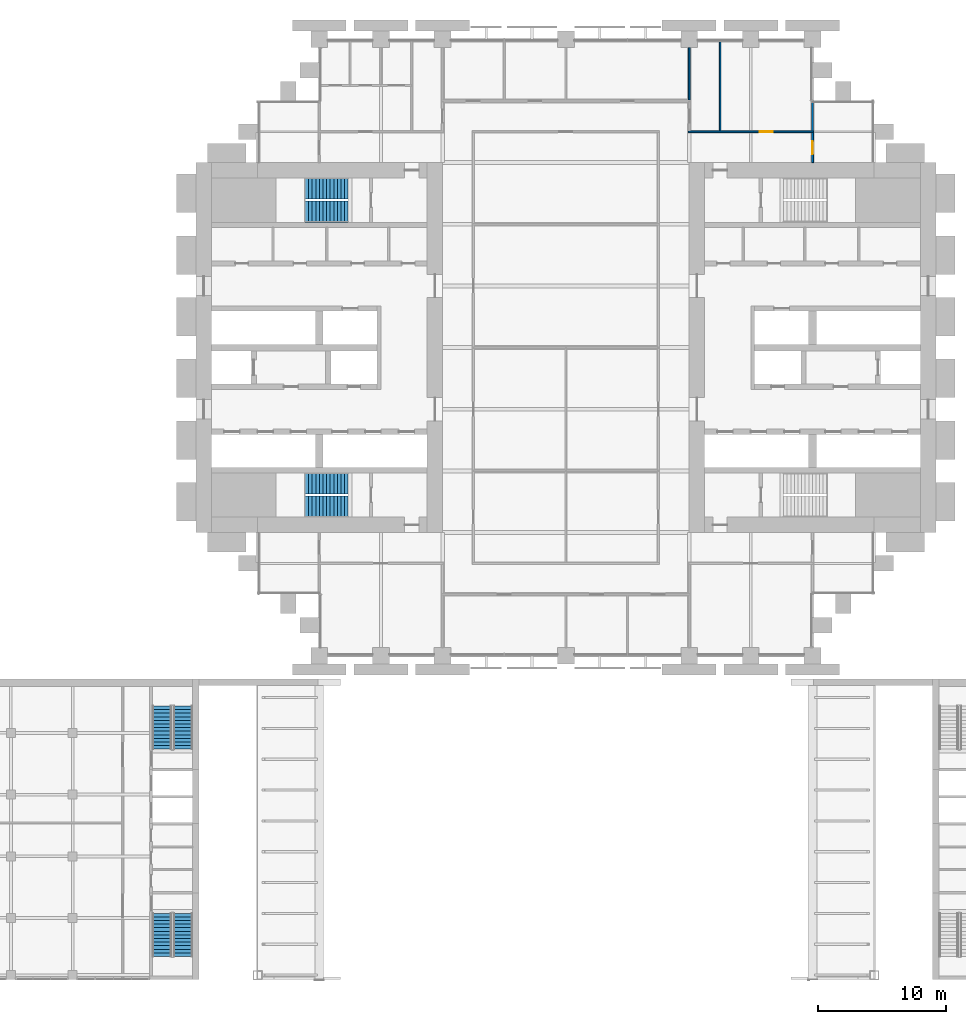
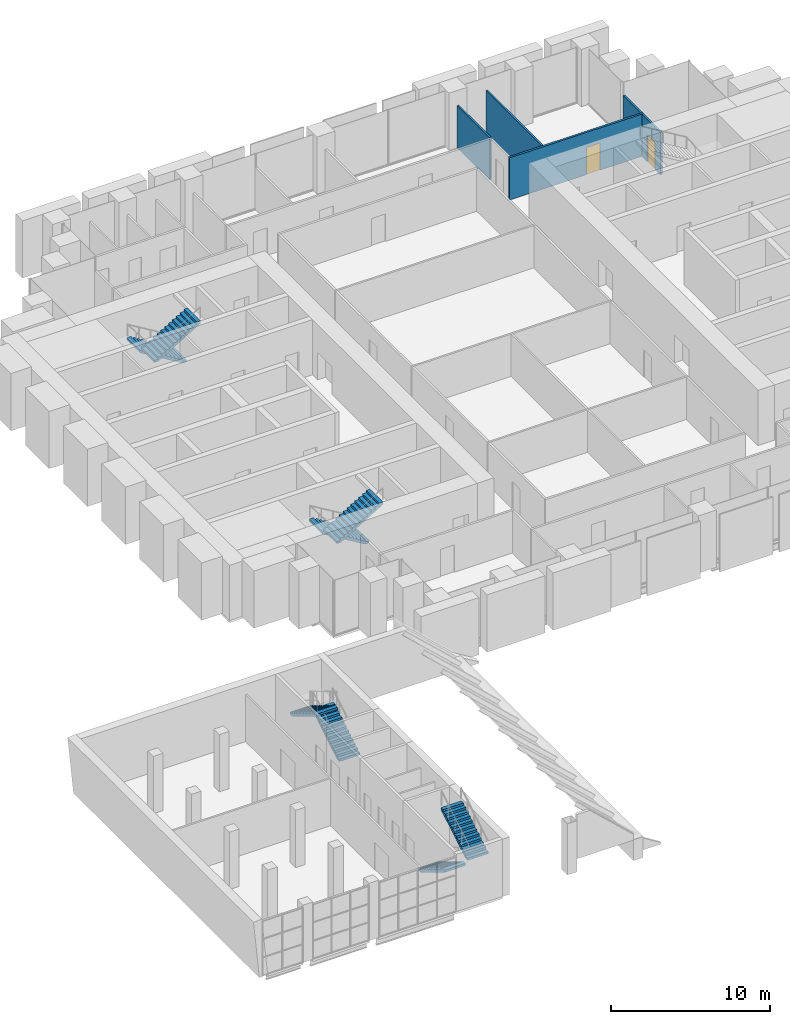
# One storey, part 25 of 30: 8 stair flights, 5 walls, 2 doors, 2 openings, 4 elements without a shape of their own.
"""IFC4 building model written with IfcOpenShell, lengths in metres."""

import ifcopenshell
import ifcopenshell.guid

model = None  # the IFC model being written
_history = None  # IfcOwnerHistory: only IFC2X3 demands one
_inside = {}  # id of a spatial element -> (the spatial element, [elements in it])
_under = {}  # id of a project, library or spatial element -> (it, [spatial elements below it])
_declared = {}  # id of a project -> (the project, [libraries it declares])
_typed = {}  # id of a type object -> (the type object, [elements of that type])
_made_of = {}  # id of a material, layer set ... -> (it, [elements and type objects made of it])


def new_model(schema):
    """Start an empty IFC model of exactly this schema.

    Asked for "IFC4X3", IfcOpenShell would pick the latest addendum, in which some entities
    have other attributes; the version numbers below select the first issue.
    IFC2X3 requires an IfcOwnerHistory on every rooted entity: one is made here for all.
    """
    global model, _history
    if schema == "IFC4X3":
        model = ifcopenshell.file(schema_version=(4, 3, 0, 0))
    else:
        model = ifcopenshell.file(schema=schema)
    _inside.clear()
    _under.clear()
    _declared.clear()
    _typed.clear()
    _made_of.clear()
    _history = None
    if model.schema == "IFC2X3":
        org = make("IfcOrganization", Name="unknown")
        user = make(
            "IfcPersonAndOrganization",
            ThePerson=make("IfcPerson", FamilyName="unknown"),
            TheOrganization=org,
        )
        app = make(
            "IfcApplication",
            ApplicationDeveloper=org,
            Version="unknown",
            ApplicationFullName="unknown",
            ApplicationIdentifier="unknown",
        )
        _history = make(
            "IfcOwnerHistory",
            OwningUser=user,
            OwningApplication=app,
            ChangeAction="ADDED",
            CreationDate=0,
        )
    return model


def make(cls, **values):
    """One entity of the class cls with the attributes given. An attribute that is None is left unset."""
    return model.create_entity(
        cls, **{name: value for name, value in values.items() if value is not None}
    )


def rooted(cls, **values):
    """An entity with a GlobalId (a new one), such as an element, a storey or a relation."""
    return make(cls, GlobalId=ifcopenshell.guid.new(), OwnerHistory=_history, **values)


def si_unit(unit_type, name, prefix=None):
    """IfcSIUnit, for example si_unit("LENGTHUNIT", "METRE", prefix="MILLI")."""
    return make("IfcSIUnit", UnitType=unit_type, Prefix=prefix, Name=name)


def assignment(units):
    """IfcUnitAssignment: the units of a project."""
    return None if units is None else make("IfcUnitAssignment", Units=units)


def point(xyz):
    """IfcCartesianPoint."""
    return None if xyz is None else make("IfcCartesianPoint", Coordinates=xyz)


def direction(xyz):
    """IfcDirection."""
    return None if xyz is None else make("IfcDirection", DirectionRatios=xyz)


def frame(location, z_axis=None, x_axis=None):
    """IfcAxis2Placement3D, a coordinate frame: its origin and axes. An axis left out is left unset."""
    return make(
        "IfcAxis2Placement3D",
        Location=point(location),
        Axis=direction(z_axis),
        RefDirection=direction(x_axis),
    )


def frame_2d(location, x_axis=None):
    """IfcAxis2Placement2D, a coordinate frame in the plane: its origin and x axis."""
    return make(
        "IfcAxis2Placement2D", Location=point(location), RefDirection=direction(x_axis)
    )


def origin():
    """The frame at (0, 0, 0) with its axes left unset."""
    return frame((0.0, 0.0, 0.0))


def place(relative_to, where):
    """IfcLocalPlacement: puts the frame where relative to a parent placement (None: the world)."""
    return make(
        "IfcLocalPlacement", PlacementRelTo=relative_to, RelativePlacement=where
    )


def context(
    kind, dimensions, precision=None, world=None, true_north=None, identifier=None
):
    """IfcGeometricRepresentationContext, for example the 3D "Model" context."""
    return make(
        "IfcGeometricRepresentationContext",
        ContextIdentifier=identifier,
        ContextType=kind,
        CoordinateSpaceDimension=dimensions,
        Precision=precision,
        WorldCoordinateSystem=world,
        TrueNorth=true_north,
    )


def subcontext(parent, identifier, kind, view, scale=None):
    """IfcGeometricRepresentationSubContext, for example "Body" below "Model"."""
    return make(
        "IfcGeometricRepresentationSubContext",
        ContextIdentifier=identifier,
        ContextType=kind,
        ParentContext=parent,
        TargetScale=scale,
        TargetView=view,
    )


def project(units=None, contexts=None):
    """IfcProject with its units and contexts."""
    return rooted(
        "IfcProject",
        Name="project",
        RepresentationContexts=contexts,
        UnitsInContext=assignment(units),
    )


def spatial(cls, under=None, at=None, **own):
    """A site, building, storey or space (cls), placed at a placement, below another one or the project."""
    s = rooted(cls, ObjectPlacement=at, **own)
    if under is not None:
        _under.setdefault(under.id(), (under, []))[1].append(s)
    return s


def polyline(points):
    """IfcPolyline through the points."""
    return make("IfcPolyline", Points=[point(p) for p in points])


def profile(cls, at=None, kind="AREA", **sizes):
    """A parametric profile (cls). Its sizes go by their IFC names, for example OverallWidth=200.0."""
    return make(cls, ProfileType=kind, Position=at, **sizes)


def rectangle(**sizes):
    """IfcRectangleProfileDef."""
    return profile("IfcRectangleProfileDef", **sizes)


def outline(outer, holes=None, kind="AREA"):
    """IfcArbitraryClosedProfileDef: a profile drawn as a closed curve; with holes, ...WithVoids."""
    if holes is None:
        return make("IfcArbitraryClosedProfileDef", ProfileType=kind, OuterCurve=outer)
    return make(
        "IfcArbitraryProfileDefWithVoids",
        ProfileType=kind,
        OuterCurve=outer,
        InnerCurves=holes,
    )


def extrude(swept, where, along, depth):
    """IfcExtrudedAreaSolid: the profile swept, set in the frame where, extruded along a direction by depth."""
    return make(
        "IfcExtrudedAreaSolid",
        SweptArea=swept,
        Position=where,
        ExtrudedDirection=direction(along),
        Depth=depth,
    )


def shape(context_of_items, identifier, shape_type, items):
    """IfcShapeRepresentation: the items that make up one representation, for example the "Body"."""
    return make(
        "IfcShapeRepresentation",
        ContextOfItems=context_of_items,
        RepresentationIdentifier=identifier,
        RepresentationType=shape_type,
        Items=items,
    )


def material(Name=None, Category=None):
    """IfcMaterial."""
    return make("IfcMaterial", Name=Name, Category=Category)


def layer(
    of_material, thickness, ventilated=None, Name=None, Category=None, Priority=None
):
    """IfcMaterialLayer: one layer of a wall or slab, of a material (None: an air gap)."""
    return make(
        "IfcMaterialLayer",
        Material=of_material,
        LayerThickness=thickness,
        IsVentilated=ventilated,
        Name=Name,
        Category=Category,
        Priority=Priority,
    )


def layer_set(layers, Name=None):
    """IfcMaterialLayerSet."""
    return make("IfcMaterialLayerSet", MaterialLayers=layers, LayerSetName=Name)


def made_of(thing, what):
    """Note that an element or type object is made of a material, layer set ...; save() writes the relation."""
    if what is not None:
        _made_of.setdefault(what.id(), (what, []))[1].append(thing)
    return thing


def type_object(cls, material=None, **own):
    """A type object (cls), such as IfcWallType, which elements share."""
    return made_of(rooted(cls, **own), material)


def element(
    cls,
    number,
    at=None,
    inside=None,
    cuts=None,
    type_object=None,
    material=None,
    context=None,
    identifier="Body",
    shape_type=None,
    held_by="IfcProductDefinitionShape",
    body=None,
    shapes=None,
    **own,
):
    """One element of the class cls, such as IfcWall. Its Tag is "e" and its number.

    at: its placement. inside: the storey or other place that contains it. cuts: it is an
    opening in that element (IfcRelVoidsElement). A single representation is given by context,
    identifier, shape_type and body (its items); several are given by shapes. held_by: the class
    of the entity that holds the representations. save() writes the other relations.
    """
    e = rooted(cls, Tag="e%d" % number, ObjectPlacement=at, **own)
    if body is not None:
        shapes = [shape(context, identifier, shape_type, body)]
    if shapes is not None:
        e.Representation = make(held_by, Representations=shapes)
    if inside is not None:
        _inside.setdefault(inside.id(), (inside, []))[1].append(e)
    if cuts is not None:
        rooted(
            "IfcRelVoidsElement", RelatingBuildingElement=cuts, RelatedOpeningElement=e
        )
    if type_object is not None:
        _typed.setdefault(type_object.id(), (type_object, []))[1].append(e)
    return made_of(e, material)


def fill(opening, filler):
    """IfcRelFillsElement: the door or window that sits in an opening."""
    return rooted(
        "IfcRelFillsElement",
        RelatingOpeningElement=opening,
        RelatedBuildingElement=filler,
    )


def aggregate(whole, parts):
    """IfcRelAggregates: a whole, such as a stair, and the parts it consists of."""
    return rooted("IfcRelAggregates", RelatingObject=whole, RelatedObjects=parts)


def save(model, path):
    """Write the relations noted so far, then the file.

    IfcRelAggregates (storeys below a building ...), IfcRelContainedInSpatialStructure (elements
    in a storey), IfcRelDefinesByType, IfcRelAssociatesMaterial and IfcRelDeclares: one each for
    every whole, place, type object, material and project.
    """
    for whole, parts in _under.values():
        aggregate(whole, parts)
    for where, things in _inside.values():
        rooted(
            "IfcRelContainedInSpatialStructure",
            RelatedElements=things,
            RelatingStructure=where,
        )
    for kind, things in _typed.values():
        rooted("IfcRelDefinesByType", RelatedObjects=things, RelatingType=kind)
    for what, things in _made_of.values():
        rooted("IfcRelAssociatesMaterial", RelatedObjects=things, RelatingMaterial=what)
    for by, libraries in _declared.values():
        rooted("IfcRelDeclares", RelatingContext=by, RelatedDefinitions=libraries)
    model.write(path)


model = new_model("IFC4")

# Units and contexts
model_context = context("Model", 3, precision=1e-05, world=origin(), true_north=direction((0.0, 1.0)))
body_context = subcontext(model_context, "Body", "Model", "MODEL_VIEW")
ifc_project = project(units=[si_unit("LENGTHUNIT", "METRE"), si_unit("AREAUNIT", "SQUARE_METRE"), si_unit("VOLUMEUNIT", "CUBIC_METRE"), si_unit("PLANEANGLEUNIT", "RADIAN"), si_unit("MASSUNIT", "GRAM", prefix="KILO")], contexts=[model_context])

# Site, building, storey
site_placement = place(None, origin())
site = spatial("IfcSite", under=ifc_project, at=site_placement, CompositionType="ELEMENT")
building_placement = place(site_placement, origin())
building = spatial("IfcBuilding", under=site, at=building_placement, Name="Baori Bourse Tower", CompositionType="ELEMENT")
storey_placement = place(building_placement, frame((0.0, 0.0, 17.0)))
storey = spatial("IfcBuildingStorey", under=building, at=storey_placement, Name="L02", CompositionType="ELEMENT", Elevation=17.0)

# Wall, opening, door
ifc_material_1 = material(Name="Gypsum board partition")
ifc_layer_1 = layer(ifc_material_1, 0.14990234375)
ifc_layer_set_1 = layer_set([ifc_layer_1], Name="Corridor partition 150")
wall_type_1 = type_object("IfcWallType", Name="Corridor partition 150", PredefinedType="PARTITIONING", material=ifc_layer_set_1)
wall_1_placement = place(storey_placement, frame((38.324951171875, 40.800048828125, 0.0), z_axis=(0.0, 0.0, 1.0), x_axis=(1.0, 0.0, 0.0)))
wall_1 = element("IfcWall", 1, at=wall_1_placement, inside=storey, type_object=wall_type_1, Name="Partition", PredefinedType="PARTITIONING", context=body_context, shape_type="SweptSolid", body=[
    extrude(rectangle(XDim=9.75, YDim=0.14990234375, at=frame_2d((4.875, 0.0))), origin(), (0.0, 0.0, 1.0), 3.24951171875),
])
opening_1_placement = place(wall_1_placement, frame((5.574951171875, 0.0, 0.0)))
opening_1 = element("IfcOpeningElement", 2, at=opening_1_placement, cuts=wall_1, Name="Opening L02-D08", PredefinedType="OPENING", context=body_context, shape_type="SweptSolid", body=[
    extrude(rectangle(XDim=1.0, YDim=2.10009765625, at=frame_2d((0.5, 1.050048828125))), frame((0.0, 0.0849609375, 0.0), z_axis=(0.0, -1.0, 0.0), x_axis=(1.0, 0.0, 0.0)), (0.0, 0.0, 1.0), 0.169921875),
])
ifc_material_2 = material(Name="Timber door leaf", Category="wood")
door_type = type_object("IfcDoorType", Name="Door 1000 x 2100", OperationType="SINGLE_SWING_LEFT", PredefinedType="DOOR", material=ifc_material_2)
door_1_placement = place(opening_1_placement, origin())
door_1 = element("IfcDoor", 3, at=door_1_placement, inside=storey, type_object=door_type, Name="Door", OperationType="SINGLE_SWING_LEFT", OverallHeight=2.10009765625, OverallWidth=1.0, PredefinedType="DOOR", context=body_context, shape_type="SweptSolid", body=[
    extrude(rectangle(XDim=1.0, YDim=2.10009765625, at=frame_2d((0.5, 1.050048828125))), frame((0.0, 0.02490234375, 0.0), z_axis=(0.0, -1.0, 0.0), x_axis=(1.0, 0.0, 0.0)), (0.0, 0.0, 1.0), 0.050048828125),
])
fill(opening_1, door_1)

wall_2_placement = place(storey_placement, frame((48.0, 38.39990234375, 0.0), z_axis=(0.0, 0.0, 1.0), x_axis=(0.0, 1.0, 0.0)))
wall_2 = element("IfcWall", 4, at=wall_2_placement, inside=storey, type_object=wall_type_1, Name="Partition", PredefinedType="PARTITIONING", context=body_context, shape_type="SweptSolid", body=[
    extrude(rectangle(XDim=2.3251953125, YDim=0.14990234375, at=frame_2d((1.16259765625, 0.0))), origin(), (0.0, 0.0, 1.0), 3.24951171875),
])
opening_2_placement = place(wall_2_placement, frame((0.66259765625, 0.0, 0.0)))
opening_2 = element("IfcOpeningElement", 5, at=opening_2_placement, cuts=wall_2, Name="Opening L02-D25", PredefinedType="OPENING", context=body_context, shape_type="SweptSolid", body=[
    extrude(rectangle(XDim=1.0, YDim=2.10009765625, at=frame_2d((0.5, 1.050048828125))), frame((0.0, 0.0849609375, 0.0), z_axis=(0.0, -1.0, 0.0), x_axis=(1.0, 0.0, 0.0)), (0.0, 0.0, 1.0), 0.169921875),
])
door_2_placement = place(opening_2_placement, origin())
door_2 = element("IfcDoor", 6, at=door_2_placement, inside=storey, type_object=door_type, Name="Door", OperationType="SINGLE_SWING_LEFT", OverallHeight=2.10009765625, OverallWidth=1.0, PredefinedType="DOOR", context=body_context, shape_type="SweptSolid", body=[
    extrude(rectangle(XDim=1.0, YDim=2.10009765625, at=frame_2d((0.5, 1.050048828125))), frame((0.0, 0.02490234375, 0.0), z_axis=(0.0, -1.0, 0.0), x_axis=(1.0, 0.0, 0.0)), (0.0, 0.0, 1.0), 0.050048828125),
])
fill(opening_2, door_2)

# Walls
ifc_material_3 = material(Name="Gypsum board partition")
ifc_layer_2 = layer(ifc_material_3, 0.125)
ifc_layer_set_2 = layer_set([ifc_layer_2], Name="Partition 125")
wall_type_2 = type_object("IfcWallType", Name="Partition 125", PredefinedType="PARTITIONING", material=ifc_layer_set_2)
wall_3_placement = place(storey_placement, frame((38.39990234375, 43.27490234375, 0.0), z_axis=(0.0, 0.0, 1.0), x_axis=(0.0, 1.0, 0.0)))
element("IfcWall", 7, at=wall_3_placement, inside=storey, type_object=wall_type_2, Name="Partition", PredefinedType="PARTITIONING", context=body_context, shape_type="SweptSolid", body=[
    extrude(rectangle(XDim=4.0751953125, YDim=0.125, at=frame_2d((2.03759765625, 0.0))), origin(), (0.0, 0.0, 1.0), 3.24951171875),
])
wall_4_placement = place(storey_placement, frame((40.800048828125, 40.875, 0.0), z_axis=(0.0, 0.0, 1.0), x_axis=(0.0, 1.0, 0.0)))
element("IfcWall", 8, at=wall_4_placement, inside=storey, type_object=wall_type_2, Name="Partition", PredefinedType="PARTITIONING", context=body_context, shape_type="SweptSolid", body=[
    extrude(rectangle(XDim=7.02490234375, YDim=0.125, at=frame_2d((3.512451171875, 0.0))), origin(), (0.0, 0.0, 1.0), 3.24951171875),
])
wall_5_placement = place(storey_placement, frame((48.0, 40.875, 0.0), z_axis=(0.0, 0.0, 1.0), x_axis=(0.0, 1.0, 0.0)))
element("IfcWall", 9, at=wall_5_placement, inside=storey, type_object=wall_type_2, Name="Partition", PredefinedType="PARTITIONING", context=body_context, shape_type="SweptSolid", body=[
    extrude(rectangle(XDim=2.22509765625, YDim=0.125, at=frame_2d((1.112548828125, 0.0))), origin(), (0.0, 0.0, 1.0), 3.24951171875),
])

# Stair, stair flights
ifc_material_4 = material(Name="Concrete f'c 50 MPa", Category="concrete")
stair_type_1 = type_object("IfcStairType", Name="Core stair", PredefinedType="HALF_TURN_STAIR", material=ifc_material_4)
stair_1_placement = place(storey_placement, origin())
stair_1 = element("IfcStair", 10, at=stair_1_placement, inside=storey, type_object=stair_type_1, Name="L02 Stair WA", PredefinedType="HALF_TURN_STAIR")
ifc_material_5 = material(Name="Concrete f'c 50 MPa", Category="concrete")
stair_flight_type_1 = type_object("IfcStairFlightType", Name="Core stair flight", PredefinedType="STRAIGHT", material=ifc_material_5)
stair_flight_1_placement = place(storey_placement, frame((11.85009765625, 13.425048828125, 0.0), z_axis=(0.0, 0.0, 1.0), x_axis=(-1.0, 0.0, 0.0)))
stair_flight_1 = element("IfcStairFlight", 11, at=stair_flight_1_placement, type_object=stair_flight_type_1, Name="ST1 flight 1", NumberOfRisers=13, NumberOfTreads=12, PredefinedType="STRAIGHT", RiserHeight=0.169230769, TreadLength=0.28, context=body_context, shape_type="SweptSolid", body=[
    extrude(outline(polyline([(0.0, 0.0), (0.0, 0.169189453125), (0.280029296875, 0.169189453125), (0.280029296875, 0.33837890625), (0.56005859375, 0.33837890625), (0.56005859375, 0.5078125), (0.840087890625, 0.5078125), (0.840087890625, 0.677001953125), (1.1201171875, 0.677001953125), (1.1201171875, 0.84619140625), (1.39990234375, 0.84619140625), (1.39990234375, 1.015380859375), (1.679931640625, 1.015380859375), (1.679931640625, 1.1845703125), (1.9599609375, 1.1845703125), (1.9599609375, 1.353759765625), (2.239990234375, 1.353759765625), (2.239990234375, 1.523193359375), (2.52001953125, 1.523193359375), (2.52001953125, 1.6923828125), (2.800048828125, 1.6923828125), (2.800048828125, 1.861572265625), (3.080078125, 1.861572265625), (3.080078125, 2.03076171875), (3.360107421875, 2.03076171875), (3.360107421875, 2.199951171875), (3.360107421875, 1.855712890625), (0.289794921875, 0.0), (0.0, 0.0)])), frame((0.0, 0.824951171875, 0.0), z_axis=(0.0, -1.0, 0.0), x_axis=(1.0, 0.0, 0.0)), (0.0, 0.0, 1.0), 1.64990234375),
])
stair_flight_2_placement = place(storey_placement, frame((8.489990234375, 11.625, 2.199951171875), z_axis=(0.0, 0.0, 1.0), x_axis=(1.0, 0.0, 0.0)))
stair_flight_2 = element("IfcStairFlight", 12, at=stair_flight_2_placement, type_object=stair_flight_type_1, Name="ST1 flight 2", NumberOfRisers=13, NumberOfTreads=12, PredefinedType="STRAIGHT", RiserHeight=0.169230769, TreadLength=0.28, context=body_context, shape_type="SweptSolid", body=[
    extrude(outline(polyline([(0.0, 0.0), (0.0, 0.169189453125), (0.280029296875, 0.169189453125), (0.280029296875, 0.33837890625), (0.56005859375, 0.33837890625), (0.56005859375, 0.5078125), (0.840087890625, 0.5078125), (0.840087890625, 0.677001953125), (1.1201171875, 0.677001953125), (1.1201171875, 0.84619140625), (1.39990234375, 0.84619140625), (1.39990234375, 1.015380859375), (1.679931640625, 1.015380859375), (1.679931640625, 1.1845703125), (1.9599609375, 1.1845703125), (1.9599609375, 1.353759765625), (2.239990234375, 1.353759765625), (2.239990234375, 1.523193359375), (2.52001953125, 1.523193359375), (2.52001953125, 1.6923828125), (2.800048828125, 1.6923828125), (2.800048828125, 1.861572265625), (3.080078125, 1.861572265625), (3.080078125, 2.03076171875), (3.360107421875, 2.03076171875), (3.360107421875, 2.199951171875), (3.360107421875, 1.855712890625), (0.289794921875, 0.0), (0.0, 0.0)])), frame((0.0, 0.824951171875, 0.0), z_axis=(0.0, -1.0, 0.0), x_axis=(1.0, 0.0, 0.0)), (0.0, 0.0, 1.0), 1.64990234375),
])
aggregate(stair_1, [stair_flight_1, stair_flight_2])

stair_2_placement = place(storey_placement, origin())
stair_2 = element("IfcStair", 13, at=stair_2_placement, inside=storey, type_object=stair_type_1, Name="L02 Stair WB", PredefinedType="HALF_TURN_STAIR")
stair_flight_3_placement = place(storey_placement, frame((11.85009765625, 36.375, 0.0), z_axis=(0.0, 0.0, 1.0), x_axis=(-1.0, 0.0, 0.0)))
stair_flight_3 = element("IfcStairFlight", 14, at=stair_flight_3_placement, type_object=stair_flight_type_1, Name="ST2 flight 1", NumberOfRisers=13, NumberOfTreads=12, PredefinedType="STRAIGHT", RiserHeight=0.169230769, TreadLength=0.28, context=body_context, shape_type="SweptSolid", body=[
    extrude(outline(polyline([(0.0, 0.0), (0.0, 0.169189453125), (0.280029296875, 0.169189453125), (0.280029296875, 0.33837890625), (0.56005859375, 0.33837890625), (0.56005859375, 0.5078125), (0.840087890625, 0.5078125), (0.840087890625, 0.677001953125), (1.1201171875, 0.677001953125), (1.1201171875, 0.84619140625), (1.39990234375, 0.84619140625), (1.39990234375, 1.015380859375), (1.679931640625, 1.015380859375), (1.679931640625, 1.1845703125), (1.9599609375, 1.1845703125), (1.9599609375, 1.353759765625), (2.239990234375, 1.353759765625), (2.239990234375, 1.523193359375), (2.52001953125, 1.523193359375), (2.52001953125, 1.6923828125), (2.800048828125, 1.6923828125), (2.800048828125, 1.861572265625), (3.080078125, 1.861572265625), (3.080078125, 2.03076171875), (3.360107421875, 2.03076171875), (3.360107421875, 2.199951171875), (3.360107421875, 1.855712890625), (0.289794921875, 0.0), (0.0, 0.0)])), frame((0.0, 0.824951171875, 0.0), z_axis=(0.0, -1.0, 0.0), x_axis=(1.0, 0.0, 0.0)), (0.0, 0.0, 1.0), 1.64990234375),
])
stair_flight_4_placement = place(storey_placement, frame((8.489990234375, 34.574951171875, 2.199951171875), z_axis=(0.0, 0.0, 1.0), x_axis=(1.0, 0.0, 0.0)))
stair_flight_4 = element("IfcStairFlight", 15, at=stair_flight_4_placement, type_object=stair_flight_type_1, Name="ST2 flight 2", NumberOfRisers=13, NumberOfTreads=12, PredefinedType="STRAIGHT", RiserHeight=0.169230769, TreadLength=0.28, context=body_context, shape_type="SweptSolid", body=[
    extrude(outline(polyline([(0.0, 0.0), (0.0, 0.169189453125), (0.280029296875, 0.169189453125), (0.280029296875, 0.33837890625), (0.56005859375, 0.33837890625), (0.56005859375, 0.5078125), (0.840087890625, 0.5078125), (0.840087890625, 0.677001953125), (1.1201171875, 0.677001953125), (1.1201171875, 0.84619140625), (1.39990234375, 0.84619140625), (1.39990234375, 1.015380859375), (1.679931640625, 1.015380859375), (1.679931640625, 1.1845703125), (1.9599609375, 1.1845703125), (1.9599609375, 1.353759765625), (2.239990234375, 1.353759765625), (2.239990234375, 1.523193359375), (2.52001953125, 1.523193359375), (2.52001953125, 1.6923828125), (2.800048828125, 1.6923828125), (2.800048828125, 1.861572265625), (3.080078125, 1.861572265625), (3.080078125, 2.03076171875), (3.360107421875, 2.03076171875), (3.360107421875, 2.199951171875), (3.360107421875, 1.855712890625), (0.289794921875, 0.0), (0.0, 0.0)])), frame((0.0, 0.824951171875, 0.0), z_axis=(0.0, -1.0, 0.0), x_axis=(1.0, 0.0, 0.0)), (0.0, 0.0, 1.0), 1.64990234375),
])
aggregate(stair_2, [stair_flight_3, stair_flight_4])

ifc_material_6 = material(Name="Concrete f'c 40 MPa", Category="concrete")
stair_type_2 = type_object("IfcStairType", Name="Wing exit stair 1500", PredefinedType="HALF_TURN_STAIR", material=ifc_material_6)
stair_3_placement = place(storey_placement, origin())
stair_3 = element("IfcStair", 16, at=stair_3_placement, inside=storey, type_object=stair_type_2, Name="L02 Exit stair WA", PredefinedType="HALF_TURN_STAIR")
ifc_material_7 = material(Name="Concrete f'c 40 MPa", Category="concrete")
stair_flight_type_2 = type_object("IfcStairFlightType", Name="Wing stair flight 1500", PredefinedType="STRAIGHT", material=ifc_material_7)
stair_flight_5_placement = place(storey_placement, frame((-1.0, -7.260009765625, 0.0), z_axis=(0.0, 0.0, 1.0), x_axis=(0.0, 1.0, 0.0)))
stair_flight_5 = element("IfcStairFlight", 17, at=stair_flight_5_placement, type_object=stair_flight_type_2, Name="W-STA flight 1", NumberOfRisers=13, NumberOfTreads=12, PredefinedType="STRAIGHT", RiserHeight=0.169230769, TreadLength=0.28, context=body_context, shape_type="SweptSolid", body=[
    extrude(outline(polyline([(0.0, 0.0), (0.0, 0.169189453125), (0.280029296875, 0.169189453125), (0.280029296875, 0.33837890625), (0.56005859375, 0.33837890625), (0.56005859375, 0.5078125), (0.840087890625, 0.5078125), (0.840087890625, 0.677001953125), (1.1201171875, 0.677001953125), (1.1201171875, 0.84619140625), (1.39990234375, 0.84619140625), (1.39990234375, 1.015380859375), (1.679931640625, 1.015380859375), (1.679931640625, 1.1845703125), (1.9599609375, 1.1845703125), (1.9599609375, 1.353759765625), (2.239990234375, 1.353759765625), (2.239990234375, 1.523193359375), (2.52001953125, 1.523193359375), (2.52001953125, 1.6923828125), (2.800048828125, 1.6923828125), (2.800048828125, 1.861572265625), (3.080078125, 1.861572265625), (3.080078125, 2.03076171875), (3.360107421875, 2.03076171875), (3.360107421875, 2.199951171875), (3.360107421875, 1.855712890625), (0.289794921875, 0.0), (0.0, 0.0)])), frame((0.0, 0.75, 0.0), z_axis=(0.0, -1.0, 0.0), x_axis=(1.0, 0.0, 0.0)), (0.0, 0.0, 1.0), 1.5),
])
stair_flight_6_placement = place(storey_placement, frame((-2.64990234375, -3.89990234375, 2.199951171875), z_axis=(0.0, 0.0, 1.0), x_axis=(0.0, -1.0, 0.0)))
stair_flight_6 = element("IfcStairFlight", 18, at=stair_flight_6_placement, type_object=stair_flight_type_2, Name="W-STA flight 2", NumberOfRisers=13, NumberOfTreads=12, PredefinedType="STRAIGHT", RiserHeight=0.169230769, TreadLength=0.28, context=body_context, shape_type="SweptSolid", body=[
    extrude(outline(polyline([(0.0, 0.0), (0.0, 0.169189453125), (0.280029296875, 0.169189453125), (0.280029296875, 0.33837890625), (0.56005859375, 0.33837890625), (0.56005859375, 0.5078125), (0.840087890625, 0.5078125), (0.840087890625, 0.677001953125), (1.1201171875, 0.677001953125), (1.1201171875, 0.84619140625), (1.39990234375, 0.84619140625), (1.39990234375, 1.015380859375), (1.679931640625, 1.015380859375), (1.679931640625, 1.1845703125), (1.9599609375, 1.1845703125), (1.9599609375, 1.353759765625), (2.239990234375, 1.353759765625), (2.239990234375, 1.523193359375), (2.52001953125, 1.523193359375), (2.52001953125, 1.6923828125), (2.800048828125, 1.6923828125), (2.800048828125, 1.861572265625), (3.080078125, 1.861572265625), (3.080078125, 2.03076171875), (3.360107421875, 2.03076171875), (3.360107421875, 2.199951171875), (3.360107421875, 1.855712890625), (0.289794921875, 0.0), (0.0, 0.0)])), frame((0.0, 0.75, 0.0), z_axis=(0.0, -1.0, 0.0), x_axis=(1.0, 0.0, 0.0)), (0.0, 0.0, 1.0), 1.5),
])
aggregate(stair_3, [stair_flight_5, stair_flight_6])

stair_4_placement = place(storey_placement, origin())
stair_4 = element("IfcStair", 19, at=stair_4_placement, inside=storey, type_object=stair_type_2, Name="L02 Exit stair WB", PredefinedType="HALF_TURN_STAIR")
stair_flight_7_placement = place(storey_placement, frame((-2.64990234375, -20.0400390625, 0.0), z_axis=(0.0, 0.0, 1.0), x_axis=(0.0, -1.0, 0.0)))
stair_flight_7 = element("IfcStairFlight", 20, at=stair_flight_7_placement, type_object=stair_flight_type_2, Name="W-STB flight 1", NumberOfRisers=13, NumberOfTreads=12, PredefinedType="STRAIGHT", RiserHeight=0.169230769, TreadLength=0.28, context=body_context, shape_type="SweptSolid", body=[
    extrude(outline(polyline([(0.0, 0.0), (0.0, 0.169189453125), (0.280029296875, 0.169189453125), (0.280029296875, 0.33837890625), (0.56005859375, 0.33837890625), (0.56005859375, 0.5078125), (0.840087890625, 0.5078125), (0.840087890625, 0.677001953125), (1.1201171875, 0.677001953125), (1.1201171875, 0.84619140625), (1.39990234375, 0.84619140625), (1.39990234375, 1.015380859375), (1.679931640625, 1.015380859375), (1.679931640625, 1.1845703125), (1.9599609375, 1.1845703125), (1.9599609375, 1.353759765625), (2.239990234375, 1.353759765625), (2.239990234375, 1.523193359375), (2.52001953125, 1.523193359375), (2.52001953125, 1.6923828125), (2.800048828125, 1.6923828125), (2.800048828125, 1.861572265625), (3.080078125, 1.861572265625), (3.080078125, 2.03076171875), (3.360107421875, 2.03076171875), (3.360107421875, 2.199951171875), (3.360107421875, 1.855712890625), (0.289794921875, 0.0), (0.0, 0.0)])), frame((0.0, 0.75, 0.0), z_axis=(0.0, -1.0, 0.0), x_axis=(1.0, 0.0, 0.0)), (0.0, 0.0, 1.0), 1.5),
])
stair_flight_8_placement = place(storey_placement, frame((-1.0, -23.39990234375, 2.199951171875), z_axis=(0.0, 0.0, 1.0), x_axis=(0.0, 1.0, 0.0)))
stair_flight_8 = element("IfcStairFlight", 21, at=stair_flight_8_placement, type_object=stair_flight_type_2, Name="W-STB flight 2", NumberOfRisers=13, NumberOfTreads=12, PredefinedType="STRAIGHT", RiserHeight=0.169230769, TreadLength=0.28, context=body_context, shape_type="SweptSolid", body=[
    extrude(outline(polyline([(0.0, 0.0), (0.0, 0.169189453125), (0.280029296875, 0.169189453125), (0.280029296875, 0.33837890625), (0.56005859375, 0.33837890625), (0.56005859375, 0.5078125), (0.840087890625, 0.5078125), (0.840087890625, 0.677001953125), (1.1201171875, 0.677001953125), (1.1201171875, 0.84619140625), (1.39990234375, 0.84619140625), (1.39990234375, 1.015380859375), (1.679931640625, 1.015380859375), (1.679931640625, 1.1845703125), (1.9599609375, 1.1845703125), (1.9599609375, 1.353759765625), (2.239990234375, 1.353759765625), (2.239990234375, 1.523193359375), (2.52001953125, 1.523193359375), (2.52001953125, 1.6923828125), (2.800048828125, 1.6923828125), (2.800048828125, 1.861572265625), (3.080078125, 1.861572265625), (3.080078125, 2.03076171875), (3.360107421875, 2.03076171875), (3.360107421875, 2.199951171875), (3.360107421875, 1.855712890625), (0.289794921875, 0.0), (0.0, 0.0)])), frame((0.0, 0.75, 0.0), z_axis=(0.0, -1.0, 0.0), x_axis=(1.0, 0.0, 0.0)), (0.0, 0.0, 1.0), 1.5),
])
aggregate(stair_4, [stair_flight_7, stair_flight_8])

save(model, "model.ifc")
